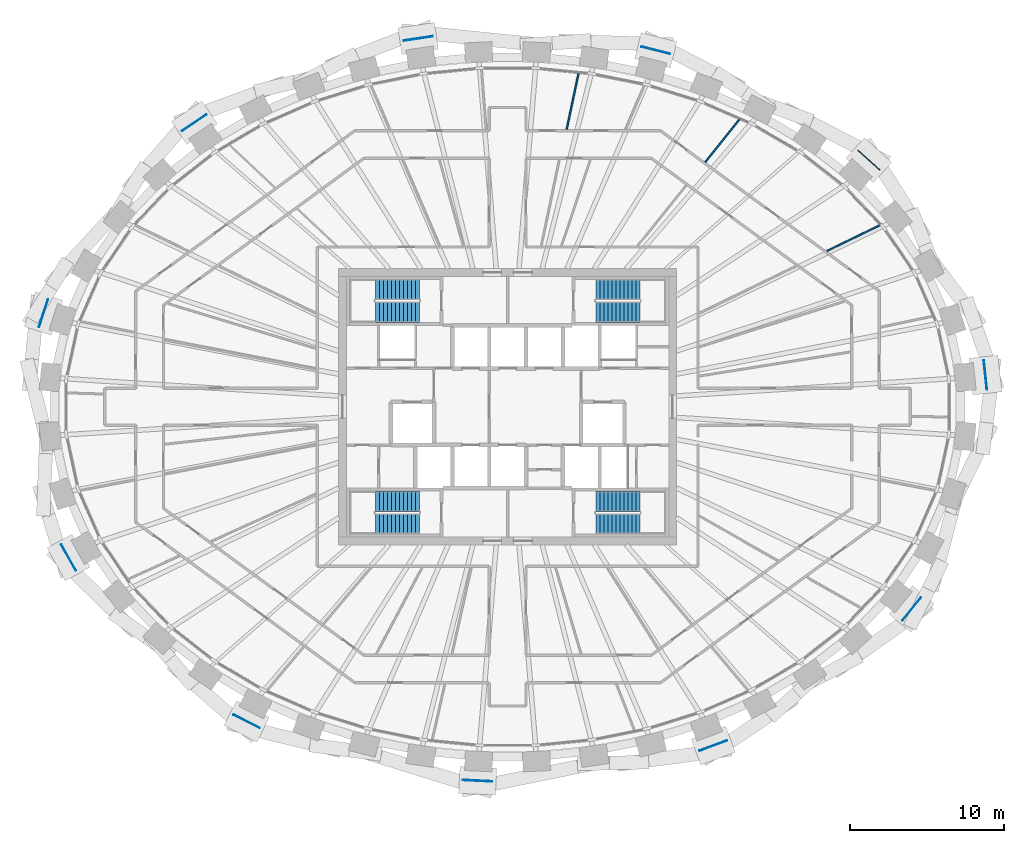
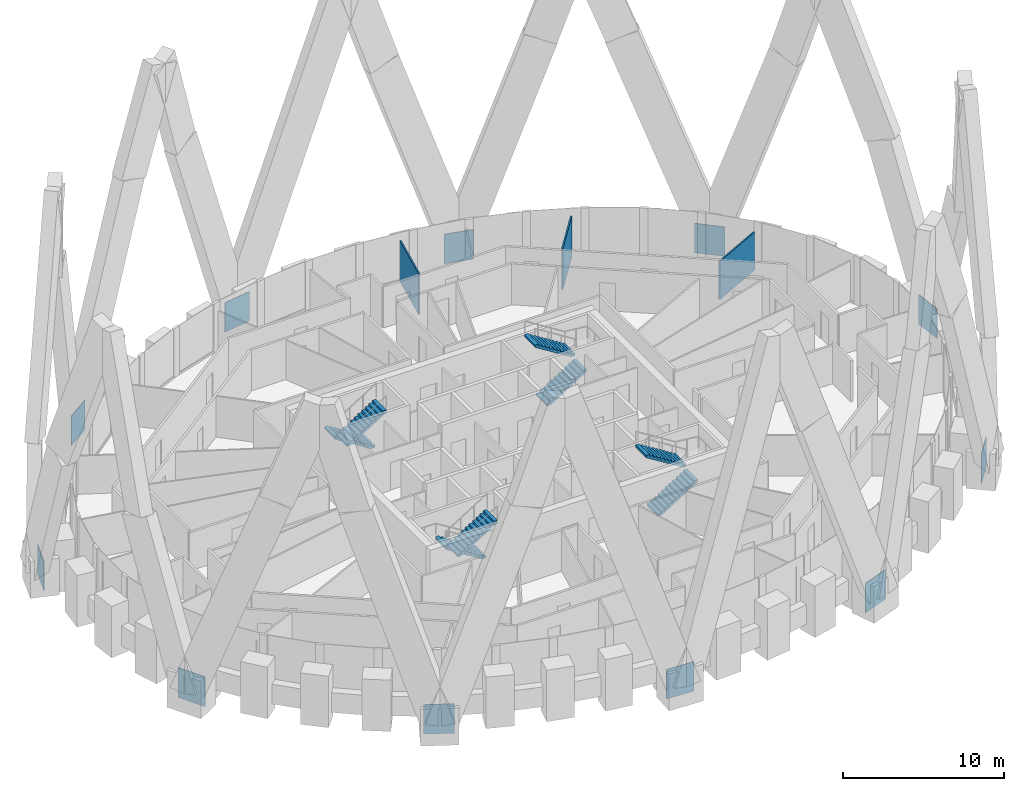
# One storey, part 12 of 13: 11 discrete accessories, 8 stair flights, 3 walls, 4 elements without a shape of their own.
"""IFC4 building model written with IfcOpenShell, lengths in metres."""

from ifc_helpers import new_model, si_unit, direction, frame, frame_2d, origin, origin_2d, place, context, subcontext, project, spatial, polyline, rectangle, outline, extrude, source, transform, mapped, material, layer, layer_set, type_object, element, aggregate, save


model = new_model("IFC4")

# Units and contexts
model_context = context("Model", 3, precision=1e-05, world=origin(), true_north=direction((0.0, 1.0)))
body_context = subcontext(model_context, "Body", "Model", "MODEL_VIEW")
ifc_project = project(units=[si_unit("LENGTHUNIT", "METRE"), si_unit("AREAUNIT", "SQUARE_METRE"), si_unit("VOLUMEUNIT", "CUBIC_METRE"), si_unit("PLANEANGLEUNIT", "RADIAN"), si_unit("MASSUNIT", "GRAM", prefix="KILO")], contexts=[model_context])

# Site, building, storey
site_placement = place(None, origin())
site = spatial("IfcSite", under=ifc_project, at=site_placement, CompositionType="ELEMENT")
building_placement = place(site_placement, origin())
building = spatial("IfcBuilding", under=site, at=building_placement, Name="Embergate Tower", CompositionType="ELEMENT")
storey_placement = place(building_placement, frame((0.0, 0.0, 316.89990234375)))
storey = spatial("IfcBuildingStorey", under=building, at=storey_placement, Name="L74", CompositionType="ELEMENT", Elevation=316.89990234375)

# Walls
ifc_material_1 = material(Name="Partition dry-lined 100")
ifc_layer = layer(ifc_material_1, 0.10009765625)
ifc_layer_set = layer_set([ifc_layer], Name="Partition dry-lined 100")
wall_type = type_object("IfcWallType", Name="Partition dry-lined 100", PredefinedType="PARTITIONING", material=ifc_layer_set)
shared_shape_1 = source(origin(), body_context, "Body", "SweptSolid", [
    extrude(rectangle(XDim=3.90185546875, YDim=0.10009765625, at=frame_2d((1.950927734375, 0.0))), origin(), (0.0, 0.0, 1.0), 2.900146484375),
])
wall_1_placement = place(storey_placement, frame((20.81103515625, 10.14990234375, 0.0), z_axis=(0.0, 0.0, 1.0), x_axis=(0.898825566315, 0.438306515283, 0.0)))
element("IfcWall", 1, at=wall_1_placement, inside=storey, type_object=wall_type, Name="IP-1 wall", PredefinedType="PARTITIONING", context=body_context, shape_type="MappedRepresentation", body=[
    mapped(shared_shape_1, transform((0.0, 0.0, 0.0))),
])
shared_shape_2 = source(origin(), body_context, "Body", "SweptSolid", [
    extrude(rectangle(XDim=3.65380859375, YDim=0.10009765625, at=frame_2d((1.826904296875, 0.0))), origin(), (0.0, 0.0, 1.0), 3.10009765625),
])
wall_2_placement = place(storey_placement, frame((12.868896484375, 15.93994140625, 0.0), z_axis=(0.0, 0.0, 1.0), x_axis=(0.62815201001, 0.778090645311, 0.0)))
element("IfcWall", 2, at=wall_2_placement, inside=storey, type_object=wall_type, Name="IP-1 wall", PredefinedType="PARTITIONING", context=body_context, shape_type="MappedRepresentation", body=[
    mapped(shared_shape_2, transform((0.0, 0.0, 0.0))),
])
shared_shape_3 = source(origin(), body_context, "Body", "SweptSolid", [
    extrude(rectangle(XDim=3.8134765625, YDim=0.10009765625, at=frame_2d((1.90673828125, 0.0))), origin(), (0.0, 0.0, 1.0), 3.10009765625),
])
wall_3_placement = place(storey_placement, frame((3.845947265625, 18.069091796875, 0.0), z_axis=(0.0, 0.0, 1.0), x_axis=(0.208191043584, 0.978088180775, 0.0)))
element("IfcWall", 3, at=wall_3_placement, inside=storey, type_object=wall_type, Name="IP-1 wall", PredefinedType="PARTITIONING", context=body_context, shape_type="MappedRepresentation", body=[
    mapped(shared_shape_3, transform((0.0, 0.0, 0.0))),
])

# Stair, stair flights
ifc_material_2 = material(Name="Exit stair")
stair_type = type_object("IfcStairType", Name="Exit stair", PredefinedType="HALF_TURN_STAIR", material=ifc_material_2)
stair_1_placement = place(storey_placement, origin())
stair_1 = element("IfcStair", 4, at=stair_1_placement, inside=storey, type_object=stair_type, Name="L74 Exit stair 1", PredefinedType="HALF_TURN_STAIR")
ifc_material_3 = material(Name="Concrete C40", Category="concrete")
stair_flight_type = type_object("IfcStairFlightType", Name="Stair flight reinforced concrete", PredefinedType="STRAIGHT", material=ifc_material_3)
shared_shape_4 = source(origin(), body_context, "Body", "SweptSolid", [
    extrude(outline(polyline([(0.0, 0.0), (0.0, 0.16259765625), (0.260009765625, 0.16259765625), (0.260009765625, 0.324951171875), (0.52001953125, 0.324951171875), (0.52001953125, 0.487548828125), (0.780029296875, 0.487548828125), (0.780029296875, 0.64990234375), (1.0400390625, 0.64990234375), (1.0400390625, 0.8125), (1.300048828125, 0.8125), (1.300048828125, 0.97509765625), (1.56005859375, 0.97509765625), (1.56005859375, 1.137451171875), (1.820068359375, 1.137451171875), (1.820068359375, 1.300048828125), (2.080078125, 1.300048828125), (2.080078125, 1.46240234375), (2.340087890625, 1.46240234375), (2.340087890625, 1.625), (2.60009765625, 1.625), (2.60009765625, 1.78759765625), (2.860107421875, 1.78759765625), (2.860107421875, 1.949951171875), (2.860107421875, 1.61083984375), (0.28271484375, 0.0), (0.0, 0.0)])), frame((0.0, 0.675048828125, 0.0), z_axis=(0.0, -1.0, 0.0), x_axis=(1.0, 0.0, 0.0)), (0.0, 0.0, 1.0), 1.35009765625),
])
stair_flight_1_placement = place(storey_placement, frame((-5.75, 7.625, 0.0), z_axis=(0.0, 0.0, 1.0), x_axis=(-1.0, 0.0, 0.0)))
stair_flight_1 = element("IfcStairFlight", 5, at=stair_flight_1_placement, type_object=stair_flight_type, Name="ST1 flight 1", NumberOfRisers=12, NumberOfTreads=11, PredefinedType="STRAIGHT", RiserHeight=0.1625, TreadLength=0.26, context=body_context, shape_type="MappedRepresentation", body=[
    mapped(shared_shape_4, transform((0.0, 0.0, 0.0))),
])
stair_flight_2_placement = place(storey_placement, frame((-8.610107421875, 6.175048828125, 1.9501953125), z_axis=(0.0, 0.0, 1.0), x_axis=(1.0, 0.0, 0.0)))
stair_flight_2 = element("IfcStairFlight", 6, at=stair_flight_2_placement, type_object=stair_flight_type, Name="ST1 flight 2", NumberOfRisers=12, NumberOfTreads=11, PredefinedType="STRAIGHT", RiserHeight=0.1625, TreadLength=0.26, context=body_context, shape_type="MappedRepresentation", body=[
    mapped(shared_shape_4, transform((0.0, 0.0, 0.0))),
])
aggregate(stair_1, [stair_flight_1, stair_flight_2])

stair_2_placement = place(storey_placement, origin())
stair_2 = element("IfcStair", 7, at=stair_2_placement, inside=storey, type_object=stair_type, Name="L74 Exit stair 2", PredefinedType="HALF_TURN_STAIR")
stair_flight_3_placement = place(storey_placement, frame((5.75, 6.175048828125, 0.0), z_axis=(0.0, 0.0, 1.0), x_axis=(1.0, 0.0, 0.0)))
stair_flight_3 = element("IfcStairFlight", 8, at=stair_flight_3_placement, type_object=stair_flight_type, Name="ST2 flight 1", NumberOfRisers=12, NumberOfTreads=11, PredefinedType="STRAIGHT", RiserHeight=0.1625, TreadLength=0.26, context=body_context, shape_type="MappedRepresentation", body=[
    mapped(shared_shape_4, transform((0.0, 0.0, 0.0))),
])
stair_flight_4_placement = place(storey_placement, frame((8.610107421875, 7.625, 1.9501953125), z_axis=(0.0, 0.0, 1.0), x_axis=(-1.0, 0.0, 0.0)))
stair_flight_4 = element("IfcStairFlight", 9, at=stair_flight_4_placement, type_object=stair_flight_type, Name="ST2 flight 2", NumberOfRisers=12, NumberOfTreads=11, PredefinedType="STRAIGHT", RiserHeight=0.1625, TreadLength=0.26, context=body_context, shape_type="MappedRepresentation", body=[
    mapped(shared_shape_4, transform((0.0, 0.0, 0.0))),
])
aggregate(stair_2, [stair_flight_3, stair_flight_4])

stair_3_placement = place(storey_placement, origin())
stair_3 = element("IfcStair", 10, at=stair_3_placement, inside=storey, type_object=stair_type, Name="L74 Exit stair 3", PredefinedType="HALF_TURN_STAIR")
stair_flight_5_placement = place(storey_placement, frame((-5.75, -6.175048828125, 0.0), z_axis=(0.0, 0.0, 1.0), x_axis=(-1.0, 0.0, 0.0)))
stair_flight_5 = element("IfcStairFlight", 11, at=stair_flight_5_placement, type_object=stair_flight_type, Name="ST3 flight 1", NumberOfRisers=12, NumberOfTreads=11, PredefinedType="STRAIGHT", RiserHeight=0.1625, TreadLength=0.26, context=body_context, shape_type="MappedRepresentation", body=[
    mapped(shared_shape_4, transform((0.0, 0.0, 0.0))),
])
stair_flight_6_placement = place(storey_placement, frame((-8.610107421875, -7.625, 1.9501953125), z_axis=(0.0, 0.0, 1.0), x_axis=(1.0, 0.0, 0.0)))
stair_flight_6 = element("IfcStairFlight", 12, at=stair_flight_6_placement, type_object=stair_flight_type, Name="ST3 flight 2", NumberOfRisers=12, NumberOfTreads=11, PredefinedType="STRAIGHT", RiserHeight=0.1625, TreadLength=0.26, context=body_context, shape_type="MappedRepresentation", body=[
    mapped(shared_shape_4, transform((0.0, 0.0, 0.0))),
])
aggregate(stair_3, [stair_flight_5, stair_flight_6])

stair_4_placement = place(storey_placement, origin())
stair_4 = element("IfcStair", 13, at=stair_4_placement, inside=storey, type_object=stair_type, Name="L74 Exit stair 4", PredefinedType="HALF_TURN_STAIR")
stair_flight_7_placement = place(storey_placement, frame((5.75, -7.625, 0.0), z_axis=(0.0, 0.0, 1.0), x_axis=(1.0, 0.0, 0.0)))
stair_flight_7 = element("IfcStairFlight", 14, at=stair_flight_7_placement, type_object=stair_flight_type, Name="ST4 flight 1", NumberOfRisers=12, NumberOfTreads=11, PredefinedType="STRAIGHT", RiserHeight=0.1625, TreadLength=0.26, context=body_context, shape_type="MappedRepresentation", body=[
    mapped(shared_shape_4, transform((0.0, 0.0, 0.0))),
])
stair_flight_8_placement = place(storey_placement, frame((8.610107421875, -6.175048828125, 1.9501953125), z_axis=(0.0, 0.0, 1.0), x_axis=(-1.0, 0.0, 0.0)))
stair_flight_8 = element("IfcStairFlight", 15, at=stair_flight_8_placement, type_object=stair_flight_type, Name="ST4 flight 2", NumberOfRisers=12, NumberOfTreads=11, PredefinedType="STRAIGHT", RiserHeight=0.1625, TreadLength=0.26, context=body_context, shape_type="MappedRepresentation", body=[
    mapped(shared_shape_4, transform((0.0, 0.0, 0.0))),
])
aggregate(stair_4, [stair_flight_7, stair_flight_8])

# Discrete accessories
ifc_material_4 = material(Name="Steel Q355D plate", Category="steel")
discrete_accessory_type = type_object("IfcDiscreteAccessoryType", Name="Lattice node plate", PredefinedType="USERDEFINED", material=ifc_material_4)
shared_shape_5 = source(origin(), body_context, "Body", "SweptSolid", [
    extrude(rectangle(XDim=1.9599609375, YDim=0.050048828125, at=origin_2d()), origin(), (0.0, 0.0, 1.0), 2.280029296875),
])
discrete_accessory_placement = place(storey_placement, frame((-28.597900390625, -9.823974609375, -1.14013671875), z_axis=(0.0, 0.0, 1.0), x_axis=(0.486823311018, -0.873500465855, 0.0)))
element("IfcDiscreteAccessory", 16, at=discrete_accessory_placement, inside=storey, type_object=discrete_accessory_type, Name="Node plate", ObjectType="BRACKET", PredefinedType="USERDEFINED", context=body_context, shape_type="MappedRepresentation", body=[
    mapped(shared_shape_5, transform((0.0, 0.0, 0.0))),
])
shared_shape_6 = source(origin(), body_context, "Body", "SweptSolid", [
    extrude(rectangle(XDim=1.919921875, YDim=0.050048828125, at=origin_2d()), origin(), (0.0, 0.0, 1.0), 2.239990234375),
])
for number, where, z_axis, x_axis, name in (
    (17, (31.126953125, 2.06494140625, -1.1201171875), (0.0, 0.0, 1.0), (-0.106749983816, 0.99428589498, 0.0), "Node plate"),
    (18, (23.537109375, 16.055908203125, -1.1201171875), (0.0, 0.0, 1.0), (-0.743063070206, 0.669221393633, 0.0), "Node plate"),
    (19, (9.653076171875, 23.219970703125, -1.1201171875), (0.0, 0.0, 1.0), (-0.969140624713, 0.24650851817, 0.0), "Node plate"),
    (20, (-5.826904296875, 23.987060546875, -1.1201171875), (0.0, 0.0, 1.0), (-0.989147039346, -0.146929011949, 0.0), "Node plate"),
    (21, (-20.403076171875, 18.5029296875, -1.1201171875), (0.0, 0.0, 1.0), (-0.828226643109, -0.560393279442, 0.0), "Node plate"),
    (22, (-30.238037109375, 6.0830078125, -1.1201171875), (0.0, 0.0, 1.0), (-0.309946394413, -0.950754033697, 0.0), "Node plate"),
    (23, (-16.9990234375, -20.5048828125, -1.1201171875), (0.0, 0.0, 1.0), (0.891505174089, -0.453010512651, 0.0), "Node plate"),
    (24, (-1.947998046875, -24.367919921875, -1.1201171875), (0.0, 0.0, 1.0), (0.998807841912, -0.048814904854, 0.0), "Node plate"),
    (25, (13.39794921875, -22.0791015625, -1.1201171875), (0.0, 0.0, 1.0), (0.93736713373, 0.348343015724, 0.0), "Node plate"),
    (26, (26.322021484375, -13.1708984375, -1.1201171875), (0.0, 0.0, 1.0), (0.630824786022, 0.775925311702, 0.0), "Node plate"),
):
    element("IfcDiscreteAccessory", number, at=place(storey_placement, frame(where, z_axis=z_axis, x_axis=x_axis)), inside=storey, type_object=discrete_accessory_type, Name=name, ObjectType="BRACKET", PredefinedType="USERDEFINED", context=body_context, shape_type="MappedRepresentation", body=[
        mapped(shared_shape_6, transform((0.0, 0.0, 0.0))),
    ])

save(model, "model.ifc")
